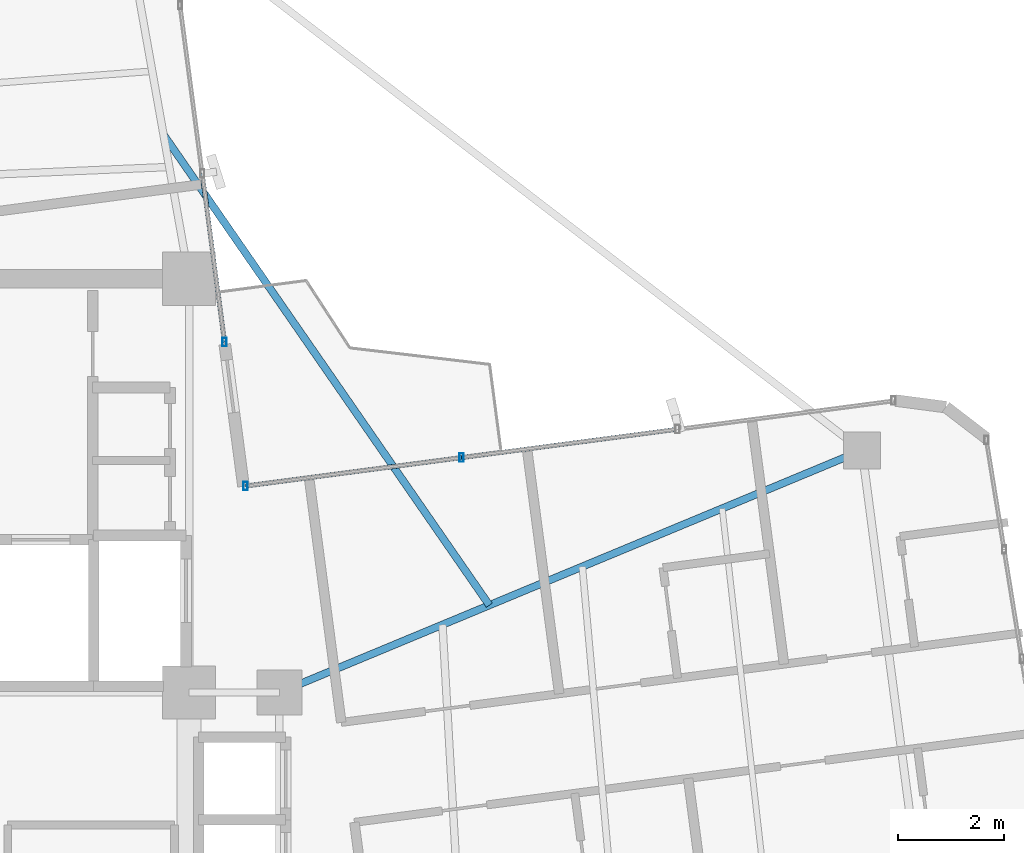
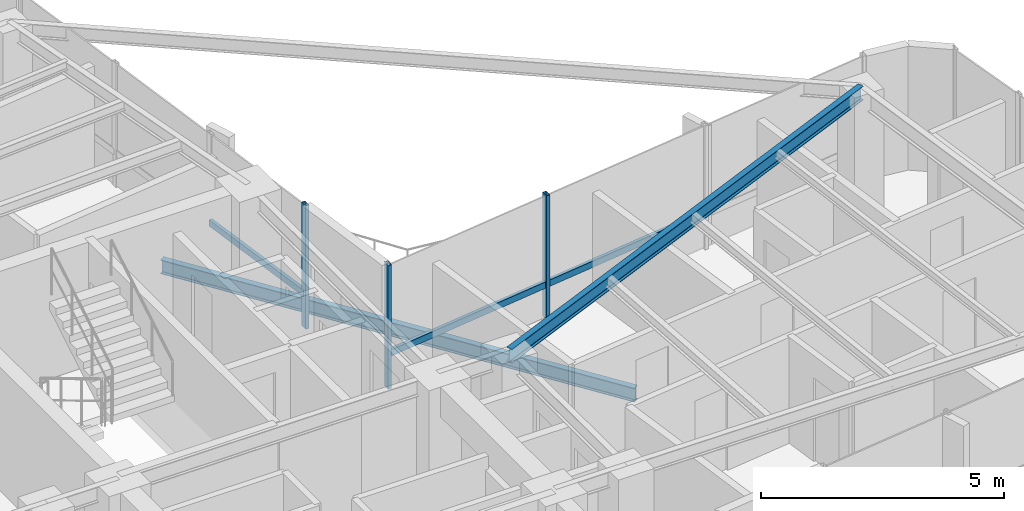
# One storey, part 11 of 23: 6 members, 2 beams, 2 elements without a shape of their own.
"""IFC4 building model written with IfcOpenShell, lengths in metres."""

from ifc_helpers import new_model, si_unit, direction, frame, origin, origin_2d, place, context, subcontext, project, spatial, hollow_rectangle, i_section, extrude, source, transform, mapped, material, material_profile, profile_set, type_object, element, aggregate, save


model = new_model("IFC4")

# Units and contexts
model_context = context("Model", 3, precision=1e-05, world=origin(), true_north=direction((0.0, 1.0)))
body_context = subcontext(model_context, "Body", "Model", "MODEL_VIEW")
ifc_project = project(units=[si_unit("LENGTHUNIT", "METRE"), si_unit("AREAUNIT", "SQUARE_METRE"), si_unit("VOLUMEUNIT", "CUBIC_METRE"), si_unit("PLANEANGLEUNIT", "RADIAN"), si_unit("MASSUNIT", "GRAM", prefix="KILO")], contexts=[model_context])

# Site, building, storey
site_placement = place(None, origin())
site = spatial("IfcSite", under=ifc_project, at=site_placement, CompositionType="ELEMENT")
building_placement = place(site_placement, origin())
building = spatial("IfcBuilding", under=site, at=building_placement, Name="Sahyath Konkavel Grand Hotel", CompositionType="ELEMENT")
storey_placement = place(building_placement, frame((0.0, 0.0, 254.550048828125)))
storey = spatial("IfcBuildingStorey", under=building, at=storey_placement, Name="L71", CompositionType="ELEMENT", Elevation=254.550048828125)

# Beam
ifc_material_1 = material(Name="Steel E350", Category="steel")
ifc_material_profile_1 = material_profile(ifc_material_1, i_section(OverallWidth=0.139892578125, OverallDepth=0.35009765625, WebThickness=0.008056640625, FlangeThickness=0.01416015625, FilletRadius=0.013916015625, at=origin_2d()), Name="ISMB 350")
ifc_profile_set_1 = profile_set([ifc_material_profile_1], Name="Steel E350")
beam_type_1 = type_object("IfcBeamType", Name="BM-ISMB350", PredefinedType="BEAM", material=ifc_profile_set_1)
shared_shape_1 = source(origin(), body_context, "Body", "SweptSolid", [
    extrude(i_section(OverallWidth=0.139892578125, OverallDepth=0.35009765625, WebThickness=0.008056640625, FlangeThickness=0.01416015625, FilletRadius=0.013916015625, at=origin_2d()), origin(), (0.0, 0.0, 1.0), 11.895751953125),
])
beam_1_placement = place(storey_placement, frame((5.5, 2.39990234375, 2.93505859375), z_axis=(0.923422651316, 0.383784584158, 0.0), x_axis=(-0.383784584158, 0.923422651316, 0.0)))
element("IfcBeam", 1, at=beam_1_placement, inside=storey, type_object=beam_type_1, Name="L71 Cruciform Radial Girder EB", PredefinedType="BEAM", context=body_context, shape_type="MappedRepresentation", body=[
    mapped(shared_shape_1, transform((0.0, 0.0, 0.0), scale=1.0)),
])

# Curtain wall, members
ifc_material_2 = material(Name="Anodised Bronze Aluminium & Low-E Glazing", Category="aluminium")
curtain_wall_type = type_object("IfcCurtainWallType", Name="CW-ZONE4", PredefinedType="NOTDEFINED", material=ifc_material_2)
curtain_wall_1_placement = place(storey_placement, origin())
curtain_wall_1 = element("IfcCurtainWall", 2, at=curtain_wall_1_placement, inside=storey, type_object=curtain_wall_type, Name="L71 Unitised Curtain Wall F7", PredefinedType="NOTDEFINED")
ifc_material_3 = material(Name="Anodised Bronze Aluminium", Category="aluminium")
ifc_material_profile_2 = material_profile(ifc_material_3, hollow_rectangle(XDim=0.080078125, YDim=0.159912109375, WallThickness=0.006103515625, at=origin_2d()), Name="RHS 160x80x6")
ifc_profile_set_2 = profile_set([ifc_material_profile_2], Name="Anodised Bronze Aluminium")
member_type_1 = type_object("IfcMemberType", Name="CW-MUL-160", PredefinedType="MULLION", material=ifc_profile_set_2)
shared_shape_2 = source(origin(), body_context, "Body", "SweptSolid", [
    extrude(hollow_rectangle(XDim=0.080078125, YDim=0.159912109375, WallThickness=0.006103515625, at=origin_2d()), origin(), (0.0, 0.0, 1.0), 3.10986328125),
])
member_1_placement = place(storey_placement, frame((8.935546875, 6.82861328125, 0.0), z_axis=(0.0, 0.0, 1.0), x_axis=(1.0, 0.0, 0.0)))
member_1 = element("IfcMember", 3, at=member_1_placement, type_object=member_type_1, Name="L71 Curtain Wall Mullion F7-2", PredefinedType="MULLION", context=body_context, shape_type="MappedRepresentation", body=[
    mapped(shared_shape_2, transform((0.0, 0.0, 0.0), scale=1.0)),
])
member_2_placement = place(storey_placement, frame((4.8642578125, 6.292724609375, 0.0), z_axis=(0.0, 0.0, 1.0), x_axis=(1.0, 0.0, 0.0)))
member_2 = element("IfcMember", 4, at=member_2_placement, type_object=member_type_1, Name="L71 Curtain Wall Mullion F7-3", PredefinedType="MULLION", context=body_context, shape_type="MappedRepresentation", body=[
    mapped(shared_shape_2, transform((0.0, 0.0, 0.0), scale=1.0)),
])

curtain_wall_2_placement = place(storey_placement, origin())
curtain_wall_2 = element("IfcCurtainWall", 5, at=curtain_wall_2_placement, inside=storey, type_object=curtain_wall_type, Name="L71 Unitised Curtain Wall F8", PredefinedType="NOTDEFINED")
member_3_placement = place(storey_placement, frame((4.467041015625, 9.004150390625, 0.0), z_axis=(0.0, 0.0, 1.0), x_axis=(1.0, 0.0, 0.0)))
member_3 = element("IfcMember", 6, at=member_3_placement, type_object=member_type_1, Name="L71 Curtain Wall Mullion F8-0", PredefinedType="MULLION", context=body_context, shape_type="MappedRepresentation", body=[
    mapped(shared_shape_2, transform((0.0, 0.0, 0.0), scale=1.0)),
])
ifc_material_profile_3 = material_profile(ifc_material_3, hollow_rectangle(XDim=0.080078125, YDim=0.159912109375, WallThickness=0.006103515625, at=origin_2d()), Name="RHS 160x80x6")
ifc_profile_set_3 = profile_set([ifc_material_profile_3], Name="Anodised Bronze Aluminium")
member_type_2 = type_object("IfcMemberType", Name="CW-TRN-160", PredefinedType="USERDEFINED", material=ifc_profile_set_3)
shared_shape_3 = source(origin(), body_context, "Body", "SweptSolid", [
    extrude(hollow_rectangle(XDim=0.080078125, YDim=0.159912109375, WallThickness=0.006103515625, at=origin_2d()), origin(), (0.0, 0.0, 1.0), 3.206298828125),
])
member_4_placement = place(storey_placement, frame((4.467041015625, 9.004150390625, 0.849853515625), z_axis=(-0.130507692693, 0.991447296707, 0.0), x_axis=(-0.991447296707, -0.130507692693, 0.0)))
member_4 = element("IfcMember", 7, at=member_4_placement, type_object=member_type_2, Name="L71 Curtain Wall Transom F8-0-spandrel", ObjectType="TRANSOM", PredefinedType="USERDEFINED", context=body_context, shape_type="MappedRepresentation", body=[
    mapped(shared_shape_3, transform((0.0, 0.0, 0.0), scale=1.0)),
])
aggregate(curtain_wall_2, [member_3, member_4])

# Member
shared_shape_4 = source(origin(), body_context, "Body", "SweptSolid", [
    extrude(hollow_rectangle(XDim=0.080078125, YDim=0.159912109375, WallThickness=0.006103515625, at=origin_2d()), origin(), (0.0, 0.0, 1.0), 4.1064453125),
])
member_5_placement = place(storey_placement, frame((8.935546875, 6.82861328125, 0.849853515625), z_axis=(-0.991448223645, -0.13050065069, 0.0), x_axis=(0.13050065069, -0.991448223645, 0.0)))
member_5 = element("IfcMember", 8, at=member_5_placement, type_object=member_type_2, Name="L71 Curtain Wall Transom F7-2-spandrel", ObjectType="TRANSOM", PredefinedType="USERDEFINED", context=body_context, shape_type="MappedRepresentation", body=[
    mapped(shared_shape_4, transform((0.0, 0.0, 0.0), scale=1.0)),
])

shared_shape_5 = source(origin(), body_context, "Body", "SweptSolid", [
    extrude(hollow_rectangle(XDim=0.080078125, YDim=0.159912109375, WallThickness=0.006103515625, at=origin_2d()), origin(), (0.0, 0.0, 1.0), 4.106201171875),
])
member_6_placement = place(storey_placement, frame((13.006591796875, 7.36474609375, 0.849853515625), z_axis=(-0.991439516092, -0.130566787247, 0.0), x_axis=(0.130566787247, -0.991439516092, 0.0)))
member_6 = element("IfcMember", 9, at=member_6_placement, type_object=member_type_2, Name="L71 Curtain Wall Transom F7-1-spandrel", ObjectType="TRANSOM", PredefinedType="USERDEFINED", context=body_context, shape_type="MappedRepresentation", body=[
    mapped(shared_shape_5, transform((0.0, 0.0, 0.0), scale=1.0)),
])

aggregate(curtain_wall_1, [member_1, member_2, member_6, member_5])

# Beam
ifc_material_profile_4 = material_profile(ifc_material_1, i_section(OverallWidth=0.139892578125, OverallDepth=0.35009765625, WebThickness=0.008056640625, FlangeThickness=0.01416015625, FilletRadius=0.013916015625, at=origin_2d()), Name="ISMB 350")
ifc_profile_set_4 = profile_set([ifc_material_profile_4], Name="Steel E350")
beam_type_2 = type_object("IfcBeamType", Name="BM-BALC-CANT", PredefinedType="BEAM", material=ifc_profile_set_4)
shared_shape_6 = source(origin(), body_context, "Body", "SweptSolid", [
    extrude(i_section(OverallWidth=0.139892578125, OverallDepth=0.35009765625, WebThickness=0.008056640625, FlangeThickness=0.01416015625, FilletRadius=0.013916015625, at=origin_2d()), origin(), (0.0, 0.0, 1.0), 10.787353515625),
])
beam_2_placement = place(storey_placement, frame((9.45947265625, 4.045654296875, -0.4150390625), z_axis=(-0.569248815304, 0.822165303497, 0.0), x_axis=(-0.822165303497, -0.569248815304, 0.0)))
element("IfcBeam", 10, at=beam_2_placement, inside=storey, type_object=beam_type_2, Name="L71 Balcony Cantilever Support Beam NE", PredefinedType="BEAM", context=body_context, shape_type="MappedRepresentation", body=[
    mapped(shared_shape_6, transform((0.0, 0.0, 0.0), scale=1.0)),
])

save(model, "model.ifc")
